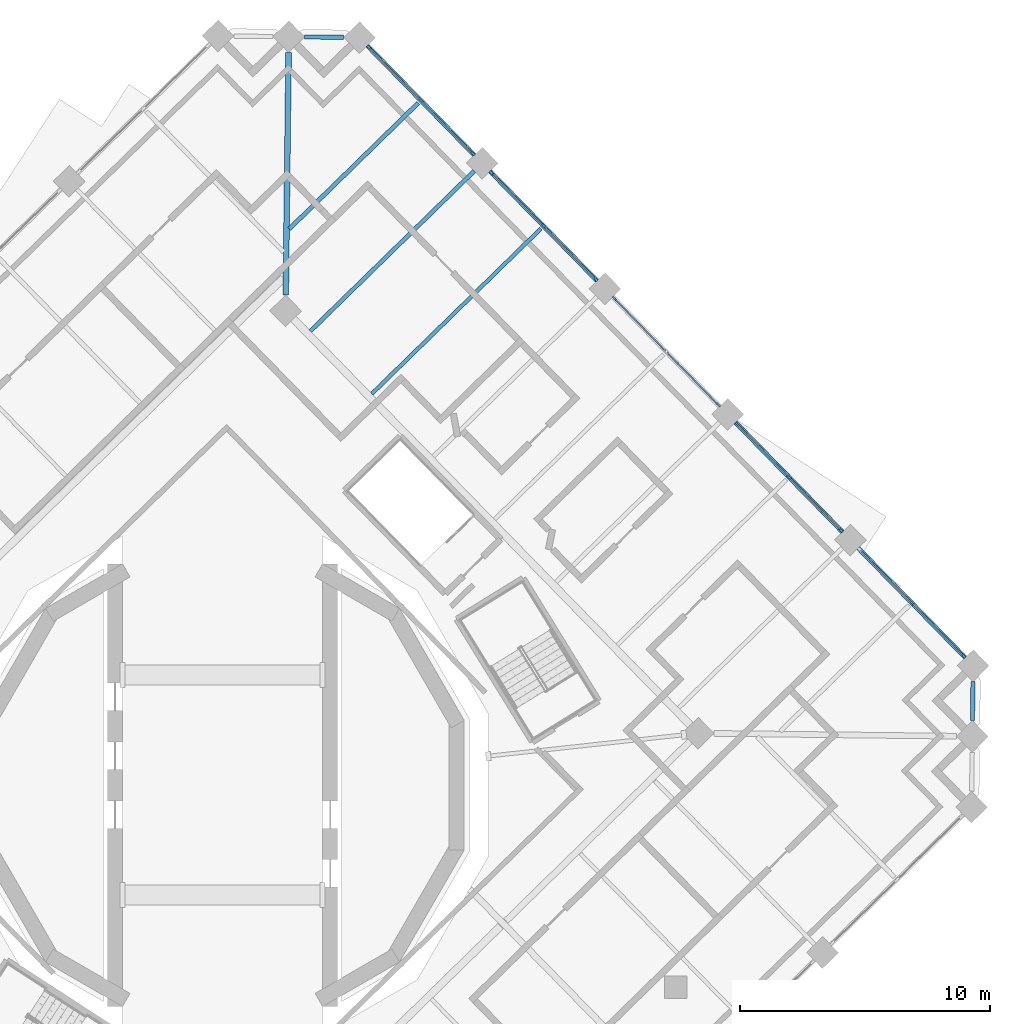
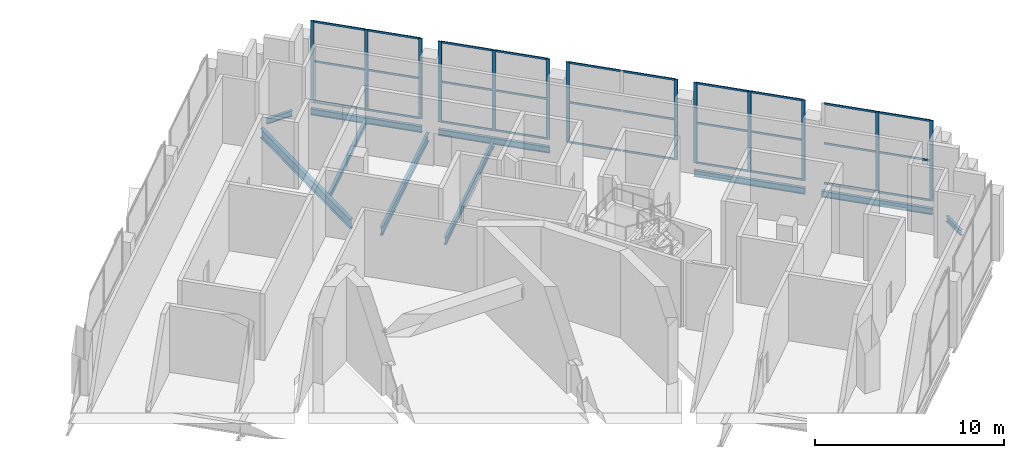
# One storey, part 8 of 20: 43 members, 10 beams, 5 elements without a shape of their own.
"""IFC4 building model written with IfcOpenShell, lengths in metres."""

from ifc_helpers import new_model, si_unit, direction, frame, origin, origin_2d, place, context, subcontext, project, spatial, rectangle, i_section, extrude, material, material_profile, profile_set, type_object, element, aggregate, save


model = new_model("IFC4")

# Units and contexts
model_context = context("Model", 3, precision=1e-05, world=origin(), true_north=direction((0.0, 1.0)))
body_context = subcontext(model_context, "Body", "Model", "MODEL_VIEW")
ifc_project = project(units=[si_unit("LENGTHUNIT", "METRE"), si_unit("AREAUNIT", "SQUARE_METRE"), si_unit("VOLUMEUNIT", "CUBIC_METRE"), si_unit("PLANEANGLEUNIT", "RADIAN"), si_unit("MASSUNIT", "GRAM", prefix="KILO")], contexts=[model_context])

# Site, building, storey
site_placement = place(None, origin())
site = spatial("IfcSite", under=ifc_project, at=site_placement, CompositionType="ELEMENT")
building_placement = place(site_placement, origin())
building = spatial("IfcBuilding", under=site, at=building_placement, Name="Cantera Rosa Tower", CompositionType="ELEMENT")
storey_placement = place(building_placement, frame((0.0, 0.0, 245.0)))
storey = spatial("IfcBuildingStorey", under=building, at=storey_placement, Name="L54", CompositionType="ELEMENT", Elevation=245.0)

# Curtain wall, members
ifc_material_1 = material(Name="Anodised aluminium louvre", Category="aluminium")
curtain_wall_type = type_object("IfcCurtainWallType", Name="CW3 REFUGE LOUVRE WALL", PredefinedType="NOTDEFINED", material=ifc_material_1)
curtain_wall_1_placement = place(storey_placement, origin())
curtain_wall_1 = element("IfcCurtainWall", 1, at=curtain_wall_1_placement, inside=storey, type_object=curtain_wall_type, Name="CW3 CW3", PredefinedType="NOTDEFINED")
ifc_material_2 = material(Name="Anodised bronze aluminium", Category="aluminium")
ifc_material_profile_1 = material_profile(ifc_material_2, rectangle(XDim=0.080078125, YDim=0.199951171875, at=origin_2d()), Name="CW-MULLION 80x200 REFUGE")
ifc_profile_set_1 = profile_set([ifc_material_profile_1], Name="Anodised bronze aluminium")
member_type_1 = type_object("IfcMemberType", Name="CW-MULLION 80x200 REFUGE", PredefinedType="MULLION", material=ifc_profile_set_1)
member_1_placement = place(storey_placement, frame((24.720458984375, 10.185302734375, 0.0), z_axis=(0.0, 0.0, 1.0), x_axis=(-0.715286291046, -0.698831540389, 0.0)))
member_1 = element("IfcMember", 2, at=member_1_placement, type_object=member_type_1, Name="CW3 mullion 1", PredefinedType="MULLION", context=body_context, shape_type="SweptSolid", body=[
    extrude(rectangle(XDim=0.080078125, YDim=0.199951171875, at=origin_2d()), origin(), (0.0, 0.0, 1.0), 5.199951171875),
])
member_2_placement = place(storey_placement, frame((22.644775390625, 12.309814453125, 0.0), z_axis=(0.0, 0.0, 1.0), x_axis=(-0.715286291046, -0.698831540389, 0.0)))
member_2 = element("IfcMember", 3, at=member_2_placement, type_object=member_type_1, Name="CW3 mullion 2", PredefinedType="MULLION", context=body_context, shape_type="SweptSolid", body=[
    extrude(rectangle(XDim=0.080078125, YDim=0.199951171875, at=origin_2d()), origin(), (0.0, 0.0, 1.0), 5.199951171875),
])
member_3_placement = place(storey_placement, frame((20.5693359375, 14.43408203125, 0.0), z_axis=(0.0, 0.0, 1.0), x_axis=(-0.715286291046, -0.698831540389, 0.0)))
member_3 = element("IfcMember", 4, at=member_3_placement, type_object=member_type_1, Name="CW3 mullion 3", PredefinedType="MULLION", context=body_context, shape_type="SweptSolid", body=[
    extrude(rectangle(XDim=0.080078125, YDim=0.199951171875, at=origin_2d()), origin(), (0.0, 0.0, 1.0), 5.199951171875),
])

curtain_wall_2_placement = place(storey_placement, origin())
curtain_wall_2 = element("IfcCurtainWall", 5, at=curtain_wall_2_placement, inside=storey, type_object=curtain_wall_type, Name="CW3 CW3", PredefinedType="NOTDEFINED")
member_4_placement = place(storey_placement, frame((19.814697265625, 15.20654296875, 0.0), z_axis=(0.0, 0.0, 1.0), x_axis=(-0.715286291046, -0.698831540389, 0.0)))
member_4 = element("IfcMember", 6, at=member_4_placement, type_object=member_type_1, Name="CW3 mullion 1", PredefinedType="MULLION", context=body_context, shape_type="SweptSolid", body=[
    extrude(rectangle(XDim=0.080078125, YDim=0.199951171875, at=origin_2d()), origin(), (0.0, 0.0, 1.0), 5.199951171875),
])
member_5_placement = place(storey_placement, frame((15.66357421875, 19.455322265625, 0.0), z_axis=(0.0, 0.0, 1.0), x_axis=(-0.715286291046, -0.698831540389, 0.0)))
member_5 = element("IfcMember", 7, at=member_5_placement, type_object=member_type_1, Name="CW3 mullion 3", PredefinedType="MULLION", context=body_context, shape_type="SweptSolid", body=[
    extrude(rectangle(XDim=0.080078125, YDim=0.199951171875, at=origin_2d()), origin(), (0.0, 0.0, 1.0), 5.199951171875),
])

curtain_wall_3_placement = place(storey_placement, origin())
curtain_wall_3 = element("IfcCurtainWall", 8, at=curtain_wall_3_placement, inside=storey, type_object=curtain_wall_type, Name="CW3 CW3", PredefinedType="NOTDEFINED")
member_6_placement = place(storey_placement, frame((14.908935546875, 20.22802734375, 0.0), z_axis=(0.0, 0.0, 1.0), x_axis=(-0.715286291046, -0.698831540389, 0.0)))
member_6 = element("IfcMember", 9, at=member_6_placement, type_object=member_type_1, Name="CW3 mullion 1", PredefinedType="MULLION", context=body_context, shape_type="SweptSolid", body=[
    extrude(rectangle(XDim=0.080078125, YDim=0.199951171875, at=origin_2d()), origin(), (0.0, 0.0, 1.0), 5.199951171875),
])
member_7_placement = place(storey_placement, frame((12.833251953125, 22.352294921875, 0.0), z_axis=(0.0, 0.0, 1.0), x_axis=(-0.715286291046, -0.698831540389, 0.0)))
member_7 = element("IfcMember", 10, at=member_7_placement, type_object=member_type_1, Name="CW3 mullion 2", PredefinedType="MULLION", context=body_context, shape_type="SweptSolid", body=[
    extrude(rectangle(XDim=0.080078125, YDim=0.199951171875, at=origin_2d()), origin(), (0.0, 0.0, 1.0), 5.199951171875),
])
member_8_placement = place(storey_placement, frame((10.7578125, 24.476806640625, 0.0), z_axis=(0.0, 0.0, 1.0), x_axis=(-0.715286291046, -0.698831540389, 0.0)))
member_8 = element("IfcMember", 11, at=member_8_placement, type_object=member_type_1, Name="CW3 mullion 3", PredefinedType="MULLION", context=body_context, shape_type="SweptSolid", body=[
    extrude(rectangle(XDim=0.080078125, YDim=0.199951171875, at=origin_2d()), origin(), (0.0, 0.0, 1.0), 5.199951171875),
])

curtain_wall_4_placement = place(storey_placement, origin())
curtain_wall_4 = element("IfcCurtainWall", 12, at=curtain_wall_4_placement, inside=storey, type_object=curtain_wall_type, Name="CW3 CW3", PredefinedType="NOTDEFINED")
member_9_placement = place(storey_placement, frame((10.0029296875, 25.249267578125, 0.0), z_axis=(0.0, 0.0, 1.0), x_axis=(-0.715286291046, -0.698831540389, 0.0)))
member_9 = element("IfcMember", 13, at=member_9_placement, type_object=member_type_1, Name="CW3 mullion 1", PredefinedType="MULLION", context=body_context, shape_type="SweptSolid", body=[
    extrude(rectangle(XDim=0.080078125, YDim=0.199951171875, at=origin_2d()), origin(), (0.0, 0.0, 1.0), 5.199951171875),
])
member_10_placement = place(storey_placement, frame((7.927490234375, 27.37353515625, 0.0), z_axis=(0.0, 0.0, 1.0), x_axis=(-0.715286291046, -0.698831540389, 0.0)))
member_10 = element("IfcMember", 14, at=member_10_placement, type_object=member_type_1, Name="CW3 mullion 2", PredefinedType="MULLION", context=body_context, shape_type="SweptSolid", body=[
    extrude(rectangle(XDim=0.080078125, YDim=0.199951171875, at=origin_2d()), origin(), (0.0, 0.0, 1.0), 5.199951171875),
])
member_11_placement = place(storey_placement, frame((5.85205078125, 29.498046875, 0.0), z_axis=(0.0, 0.0, 1.0), x_axis=(-0.715286291046, -0.698831540389, 0.0)))
member_11 = element("IfcMember", 15, at=member_11_placement, type_object=member_type_1, Name="CW3 mullion 3", PredefinedType="MULLION", context=body_context, shape_type="SweptSolid", body=[
    extrude(rectangle(XDim=0.080078125, YDim=0.199951171875, at=origin_2d()), origin(), (0.0, 0.0, 1.0), 5.199951171875),
])

curtain_wall_5_placement = place(storey_placement, origin())
curtain_wall_5 = element("IfcCurtainWall", 16, at=curtain_wall_5_placement, inside=storey, type_object=curtain_wall_type, Name="CW3 CW3", PredefinedType="NOTDEFINED")
member_12_placement = place(storey_placement, frame((29.626220703125, 5.1640625, 0.0), z_axis=(0.0, 0.0, 1.0), x_axis=(-0.715286291046, -0.698831540389, 0.0)))
member_12 = element("IfcMember", 17, at=member_12_placement, type_object=member_type_1, Name="CW3 mullion 1", PredefinedType="MULLION", context=body_context, shape_type="SweptSolid", body=[
    extrude(rectangle(XDim=0.080078125, YDim=0.199951171875, at=origin_2d()), origin(), (0.0, 0.0, 1.0), 5.199951171875),
])
member_13_placement = place(storey_placement, frame((27.55078125, 7.288330078125, 0.0), z_axis=(0.0, 0.0, 1.0), x_axis=(-0.715286291046, -0.698831540389, 0.0)))
member_13 = element("IfcMember", 18, at=member_13_placement, type_object=member_type_1, Name="CW3 mullion 2", PredefinedType="MULLION", context=body_context, shape_type="SweptSolid", body=[
    extrude(rectangle(XDim=0.080078125, YDim=0.199951171875, at=origin_2d()), origin(), (0.0, 0.0, 1.0), 5.199951171875),
])

# Member
ifc_material_3 = material(Name="Anodised bronze aluminium", Category="aluminium")
ifc_material_profile_2 = material_profile(ifc_material_3, rectangle(XDim=0.06005859375, YDim=0.1201171875, at=origin_2d()), Name="CW-TRANSOM 60x120 REFUGE")
ifc_profile_set_2 = profile_set([ifc_material_profile_2], Name="Anodised bronze aluminium")
member_type_2 = type_object("IfcMemberType", Name="CW-TRANSOM 60x120 REFUGE", PredefinedType="USERDEFINED", material=ifc_profile_set_2)
member_14_placement = place(storey_placement, frame((24.6923828125, 10.2138671875, 0.030029296875), z_axis=(-0.698821965382, 0.715295645659, 0.0), x_axis=(-0.715295645659, -0.698821965382, 0.0)))
member_14 = element("IfcMember", 19, at=member_14_placement, type_object=member_type_2, Name="CW3 transom 1.1", ObjectType="TRANSOM", PredefinedType="USERDEFINED", context=body_context, shape_type="SweptSolid", body=[
    extrude(rectangle(XDim=0.06005859375, YDim=0.1201171875, at=origin_2d()), origin(), (0.0, 0.0, 1.0), 2.889892578125),
])

member_15_placement = place(storey_placement, frame((24.6923828125, 10.2138671875, 2.60009765625), z_axis=(-0.698821965382, 0.715295645659, 0.0), x_axis=(-0.715295645659, -0.698821965382, 0.0)))
member_15 = element("IfcMember", 20, at=member_15_placement, type_object=member_type_2, Name="CW3 transom 1.2", ObjectType="TRANSOM", PredefinedType="USERDEFINED", context=body_context, shape_type="SweptSolid", body=[
    extrude(rectangle(XDim=0.06005859375, YDim=0.1201171875, at=origin_2d()), origin(), (0.0, 0.0, 1.0), 2.889892578125),
])

member_16_placement = place(storey_placement, frame((24.6923828125, 10.2138671875, 5.169921875), z_axis=(-0.698821965382, 0.715295645659, 0.0), x_axis=(-0.715295645659, -0.698821965382, 0.0)))
member_16 = element("IfcMember", 21, at=member_16_placement, type_object=member_type_2, Name="CW3 transom 1.3", ObjectType="TRANSOM", PredefinedType="USERDEFINED", context=body_context, shape_type="SweptSolid", body=[
    extrude(rectangle(XDim=0.06005859375, YDim=0.1201171875, at=origin_2d()), origin(), (0.0, 0.0, 1.0), 2.889892578125),
])

member_17_placement = place(storey_placement, frame((22.616943359375, 12.33837890625, 0.030029296875), z_axis=(-0.698821965382, 0.715295645659, 0.0), x_axis=(-0.715295645659, -0.698821965382, 0.0)))
member_17 = element("IfcMember", 22, at=member_17_placement, type_object=member_type_2, Name="CW3 transom 2.1", ObjectType="TRANSOM", PredefinedType="USERDEFINED", context=body_context, shape_type="SweptSolid", body=[
    extrude(rectangle(XDim=0.06005859375, YDim=0.1201171875, at=origin_2d()), origin(), (0.0, 0.0, 1.0), 2.889892578125),
])

member_18_placement = place(storey_placement, frame((22.616943359375, 12.33837890625, 2.60009765625), z_axis=(-0.698821965382, 0.715295645659, 0.0), x_axis=(-0.715295645659, -0.698821965382, 0.0)))
member_18 = element("IfcMember", 23, at=member_18_placement, type_object=member_type_2, Name="CW3 transom 2.2", ObjectType="TRANSOM", PredefinedType="USERDEFINED", context=body_context, shape_type="SweptSolid", body=[
    extrude(rectangle(XDim=0.06005859375, YDim=0.1201171875, at=origin_2d()), origin(), (0.0, 0.0, 1.0), 2.889892578125),
])

member_19_placement = place(storey_placement, frame((22.616943359375, 12.33837890625, 5.169921875), z_axis=(-0.698821965382, 0.715295645659, 0.0), x_axis=(-0.715295645659, -0.698821965382, 0.0)))
member_19 = element("IfcMember", 24, at=member_19_placement, type_object=member_type_2, Name="CW3 transom 2.3", ObjectType="TRANSOM", PredefinedType="USERDEFINED", context=body_context, shape_type="SweptSolid", body=[
    extrude(rectangle(XDim=0.06005859375, YDim=0.1201171875, at=origin_2d()), origin(), (0.0, 0.0, 1.0), 2.889892578125),
])

aggregate(curtain_wall_1, [member_1, member_2, member_3, member_14, member_15, member_16, member_17, member_18, member_19])

member_20_placement = place(storey_placement, frame((19.78662109375, 15.2353515625, 0.030029296875), z_axis=(-0.698821965382, 0.715295645659, 0.0), x_axis=(-0.715295645659, -0.698821965382, 0.0)))
member_20 = element("IfcMember", 25, at=member_20_placement, type_object=member_type_2, Name="CW3 transom 1.1", ObjectType="TRANSOM", PredefinedType="USERDEFINED", context=body_context, shape_type="SweptSolid", body=[
    extrude(rectangle(XDim=0.06005859375, YDim=0.1201171875, at=origin_2d()), origin(), (0.0, 0.0, 1.0), 2.889892578125),
])

member_21_placement = place(storey_placement, frame((19.78662109375, 15.2353515625, 2.60009765625), z_axis=(-0.698821965382, 0.715295645659, 0.0), x_axis=(-0.715295645659, -0.698821965382, 0.0)))
member_21 = element("IfcMember", 26, at=member_21_placement, type_object=member_type_2, Name="CW3 transom 1.2", ObjectType="TRANSOM", PredefinedType="USERDEFINED", context=body_context, shape_type="SweptSolid", body=[
    extrude(rectangle(XDim=0.06005859375, YDim=0.1201171875, at=origin_2d()), origin(), (0.0, 0.0, 1.0), 2.889892578125),
])

member_22_placement = place(storey_placement, frame((19.78662109375, 15.2353515625, 5.169921875), z_axis=(-0.698821965382, 0.715295645659, 0.0), x_axis=(-0.715295645659, -0.698821965382, 0.0)))
member_22 = element("IfcMember", 27, at=member_22_placement, type_object=member_type_2, Name="CW3 transom 1.3", ObjectType="TRANSOM", PredefinedType="USERDEFINED", context=body_context, shape_type="SweptSolid", body=[
    extrude(rectangle(XDim=0.06005859375, YDim=0.1201171875, at=origin_2d()), origin(), (0.0, 0.0, 1.0), 2.889892578125),
])

member_23_placement = place(storey_placement, frame((17.711181640625, 17.359619140625, 0.030029296875), z_axis=(-0.698865185777, 0.715253418104, 0.0), x_axis=(-0.715253418104, -0.698865185777, 0.0)))
member_23 = element("IfcMember", 28, at=member_23_placement, type_object=member_type_2, Name="CW3 transom 2.1", ObjectType="TRANSOM", PredefinedType="USERDEFINED", context=body_context, shape_type="SweptSolid", body=[
    extrude(rectangle(XDim=0.06005859375, YDim=0.1201171875, at=origin_2d()), origin(), (0.0, 0.0, 1.0), 2.89013671875),
])

member_24_placement = place(storey_placement, frame((17.711181640625, 17.359619140625, 2.60009765625), z_axis=(-0.698865185777, 0.715253418104, 0.0), x_axis=(-0.715253418104, -0.698865185777, 0.0)))
member_24 = element("IfcMember", 29, at=member_24_placement, type_object=member_type_2, Name="CW3 transom 2.2", ObjectType="TRANSOM", PredefinedType="USERDEFINED", context=body_context, shape_type="SweptSolid", body=[
    extrude(rectangle(XDim=0.06005859375, YDim=0.1201171875, at=origin_2d()), origin(), (0.0, 0.0, 1.0), 2.89013671875),
])

member_25_placement = place(storey_placement, frame((17.711181640625, 17.359619140625, 5.169921875), z_axis=(-0.698865185777, 0.715253418104, 0.0), x_axis=(-0.715253418104, -0.698865185777, 0.0)))
member_25 = element("IfcMember", 30, at=member_25_placement, type_object=member_type_2, Name="CW3 transom 2.3", ObjectType="TRANSOM", PredefinedType="USERDEFINED", context=body_context, shape_type="SweptSolid", body=[
    extrude(rectangle(XDim=0.06005859375, YDim=0.1201171875, at=origin_2d()), origin(), (0.0, 0.0, 1.0), 2.89013671875),
])

aggregate(curtain_wall_2, [member_4, member_5, member_20, member_21, member_22, member_23, member_24, member_25])

member_26_placement = place(storey_placement, frame((14.880859375, 20.256591796875, 0.030029296875), z_axis=(-0.698821965382, 0.715295645659, 0.0), x_axis=(-0.715295645659, -0.698821965382, 0.0)))
member_26 = element("IfcMember", 31, at=member_26_placement, type_object=member_type_2, Name="CW3 transom 1.1", ObjectType="TRANSOM", PredefinedType="USERDEFINED", context=body_context, shape_type="SweptSolid", body=[
    extrude(rectangle(XDim=0.06005859375, YDim=0.1201171875, at=origin_2d()), origin(), (0.0, 0.0, 1.0), 2.889892578125),
])

member_27_placement = place(storey_placement, frame((14.880859375, 20.256591796875, 2.60009765625), z_axis=(-0.698821965382, 0.715295645659, 0.0), x_axis=(-0.715295645659, -0.698821965382, 0.0)))
member_27 = element("IfcMember", 32, at=member_27_placement, type_object=member_type_2, Name="CW3 transom 1.2", ObjectType="TRANSOM", PredefinedType="USERDEFINED", context=body_context, shape_type="SweptSolid", body=[
    extrude(rectangle(XDim=0.06005859375, YDim=0.1201171875, at=origin_2d()), origin(), (0.0, 0.0, 1.0), 2.889892578125),
])

member_28_placement = place(storey_placement, frame((14.880859375, 20.256591796875, 5.169921875), z_axis=(-0.698821965382, 0.715295645659, 0.0), x_axis=(-0.715295645659, -0.698821965382, 0.0)))
member_28 = element("IfcMember", 33, at=member_28_placement, type_object=member_type_2, Name="CW3 transom 1.3", ObjectType="TRANSOM", PredefinedType="USERDEFINED", context=body_context, shape_type="SweptSolid", body=[
    extrude(rectangle(XDim=0.06005859375, YDim=0.1201171875, at=origin_2d()), origin(), (0.0, 0.0, 1.0), 2.889892578125),
])

member_29_placement = place(storey_placement, frame((12.805419921875, 22.380859375, 0.030029296875), z_axis=(-0.698822960742, 0.715294673222, 0.0), x_axis=(-0.715294673222, -0.698822960742, 0.0)))
member_29 = element("IfcMember", 34, at=member_29_placement, type_object=member_type_2, Name="CW3 transom 2.1", ObjectType="TRANSOM", PredefinedType="USERDEFINED", context=body_context, shape_type="SweptSolid", body=[
    extrude(rectangle(XDim=0.06005859375, YDim=0.1201171875, at=origin_2d()), origin(), (0.0, 0.0, 1.0), 2.89013671875),
])

member_30_placement = place(storey_placement, frame((12.805419921875, 22.380859375, 2.60009765625), z_axis=(-0.698822960742, 0.715294673222, 0.0), x_axis=(-0.715294673222, -0.698822960742, 0.0)))
member_30 = element("IfcMember", 35, at=member_30_placement, type_object=member_type_2, Name="CW3 transom 2.2", ObjectType="TRANSOM", PredefinedType="USERDEFINED", context=body_context, shape_type="SweptSolid", body=[
    extrude(rectangle(XDim=0.06005859375, YDim=0.1201171875, at=origin_2d()), origin(), (0.0, 0.0, 1.0), 2.89013671875),
])

member_31_placement = place(storey_placement, frame((12.805419921875, 22.380859375, 5.169921875), z_axis=(-0.698822960742, 0.715294673222, 0.0), x_axis=(-0.715294673222, -0.698822960742, 0.0)))
member_31 = element("IfcMember", 36, at=member_31_placement, type_object=member_type_2, Name="CW3 transom 2.3", ObjectType="TRANSOM", PredefinedType="USERDEFINED", context=body_context, shape_type="SweptSolid", body=[
    extrude(rectangle(XDim=0.06005859375, YDim=0.1201171875, at=origin_2d()), origin(), (0.0, 0.0, 1.0), 2.89013671875),
])

aggregate(curtain_wall_3, [member_6, member_7, member_8, member_26, member_27, member_28, member_29, member_30, member_31])

member_32_placement = place(storey_placement, frame((9.97509765625, 25.27783203125, 0.030029296875), z_axis=(-0.698821965382, 0.715295645659, 0.0), x_axis=(-0.715295645659, -0.698821965382, 0.0)))
member_32 = element("IfcMember", 37, at=member_32_placement, type_object=member_type_2, Name="CW3 transom 1.1", ObjectType="TRANSOM", PredefinedType="USERDEFINED", context=body_context, shape_type="SweptSolid", body=[
    extrude(rectangle(XDim=0.06005859375, YDim=0.1201171875, at=origin_2d()), origin(), (0.0, 0.0, 1.0), 2.889892578125),
])

member_33_placement = place(storey_placement, frame((9.97509765625, 25.27783203125, 2.60009765625), z_axis=(-0.698821965382, 0.715295645659, 0.0), x_axis=(-0.715295645659, -0.698821965382, 0.0)))
member_33 = element("IfcMember", 38, at=member_33_placement, type_object=member_type_2, Name="CW3 transom 1.2", ObjectType="TRANSOM", PredefinedType="USERDEFINED", context=body_context, shape_type="SweptSolid", body=[
    extrude(rectangle(XDim=0.06005859375, YDim=0.1201171875, at=origin_2d()), origin(), (0.0, 0.0, 1.0), 2.889892578125),
])

member_34_placement = place(storey_placement, frame((9.97509765625, 25.27783203125, 5.169921875), z_axis=(-0.698821965382, 0.715295645659, 0.0), x_axis=(-0.715295645659, -0.698821965382, 0.0)))
member_34 = element("IfcMember", 39, at=member_34_placement, type_object=member_type_2, Name="CW3 transom 1.3", ObjectType="TRANSOM", PredefinedType="USERDEFINED", context=body_context, shape_type="SweptSolid", body=[
    extrude(rectangle(XDim=0.06005859375, YDim=0.1201171875, at=origin_2d()), origin(), (0.0, 0.0, 1.0), 2.889892578125),
])

member_35_placement = place(storey_placement, frame((7.899658203125, 27.40234375, 0.030029296875), z_axis=(-0.698865185777, 0.715253418104, 0.0), x_axis=(-0.715253418104, -0.698865185777, 0.0)))
member_35 = element("IfcMember", 40, at=member_35_placement, type_object=member_type_2, Name="CW3 transom 2.1", ObjectType="TRANSOM", PredefinedType="USERDEFINED", context=body_context, shape_type="SweptSolid", body=[
    extrude(rectangle(XDim=0.06005859375, YDim=0.1201171875, at=origin_2d()), origin(), (0.0, 0.0, 1.0), 2.89013671875),
])

member_36_placement = place(storey_placement, frame((7.899658203125, 27.40234375, 2.60009765625), z_axis=(-0.698865185777, 0.715253418104, 0.0), x_axis=(-0.715253418104, -0.698865185777, 0.0)))
member_36 = element("IfcMember", 41, at=member_36_placement, type_object=member_type_2, Name="CW3 transom 2.2", ObjectType="TRANSOM", PredefinedType="USERDEFINED", context=body_context, shape_type="SweptSolid", body=[
    extrude(rectangle(XDim=0.06005859375, YDim=0.1201171875, at=origin_2d()), origin(), (0.0, 0.0, 1.0), 2.89013671875),
])

member_37_placement = place(storey_placement, frame((7.899658203125, 27.40234375, 5.169921875), z_axis=(-0.698865185777, 0.715253418104, 0.0), x_axis=(-0.715253418104, -0.698865185777, 0.0)))
member_37 = element("IfcMember", 42, at=member_37_placement, type_object=member_type_2, Name="CW3 transom 2.3", ObjectType="TRANSOM", PredefinedType="USERDEFINED", context=body_context, shape_type="SweptSolid", body=[
    extrude(rectangle(XDim=0.06005859375, YDim=0.1201171875, at=origin_2d()), origin(), (0.0, 0.0, 1.0), 2.89013671875),
])

aggregate(curtain_wall_4, [member_9, member_10, member_11, member_32, member_33, member_34, member_35, member_36, member_37])

member_38_placement = place(storey_placement, frame((29.598388671875, 5.192626953125, 0.030029296875), z_axis=(-0.698865185777, 0.715253418104, 0.0), x_axis=(-0.715253418104, -0.698865185777, 0.0)))
member_38 = element("IfcMember", 43, at=member_38_placement, type_object=member_type_2, Name="CW3 transom 1.1", ObjectType="TRANSOM", PredefinedType="USERDEFINED", context=body_context, shape_type="SweptSolid", body=[
    extrude(rectangle(XDim=0.06005859375, YDim=0.1201171875, at=origin_2d()), origin(), (0.0, 0.0, 1.0), 2.89013671875),
])

member_39_placement = place(storey_placement, frame((29.598388671875, 5.192626953125, 2.60009765625), z_axis=(-0.698865185777, 0.715253418104, 0.0), x_axis=(-0.715253418104, -0.698865185777, 0.0)))
member_39 = element("IfcMember", 44, at=member_39_placement, type_object=member_type_2, Name="CW3 transom 1.2", ObjectType="TRANSOM", PredefinedType="USERDEFINED", context=body_context, shape_type="SweptSolid", body=[
    extrude(rectangle(XDim=0.06005859375, YDim=0.1201171875, at=origin_2d()), origin(), (0.0, 0.0, 1.0), 2.89013671875),
])

member_40_placement = place(storey_placement, frame((29.598388671875, 5.192626953125, 5.169921875), z_axis=(-0.698865185777, 0.715253418104, 0.0), x_axis=(-0.715253418104, -0.698865185777, 0.0)))
member_40 = element("IfcMember", 45, at=member_40_placement, type_object=member_type_2, Name="CW3 transom 1.3", ObjectType="TRANSOM", PredefinedType="USERDEFINED", context=body_context, shape_type="SweptSolid", body=[
    extrude(rectangle(XDim=0.06005859375, YDim=0.1201171875, at=origin_2d()), origin(), (0.0, 0.0, 1.0), 2.89013671875),
])

member_41_placement = place(storey_placement, frame((27.522705078125, 7.31689453125, 0.030029296875), z_axis=(-0.698779737974, 0.71533689811, 0.0), x_axis=(-0.71533689811, -0.698779737974, 0.0)))
member_41 = element("IfcMember", 46, at=member_41_placement, type_object=member_type_2, Name="CW3 transom 2.1", ObjectType="TRANSOM", PredefinedType="USERDEFINED", context=body_context, shape_type="SweptSolid", body=[
    extrude(rectangle(XDim=0.06005859375, YDim=0.1201171875, at=origin_2d()), origin(), (0.0, 0.0, 1.0), 2.89013671875),
])

member_42_placement = place(storey_placement, frame((27.522705078125, 7.31689453125, 2.60009765625), z_axis=(-0.698779737974, 0.71533689811, 0.0), x_axis=(-0.71533689811, -0.698779737974, 0.0)))
member_42 = element("IfcMember", 47, at=member_42_placement, type_object=member_type_2, Name="CW3 transom 2.2", ObjectType="TRANSOM", PredefinedType="USERDEFINED", context=body_context, shape_type="SweptSolid", body=[
    extrude(rectangle(XDim=0.06005859375, YDim=0.1201171875, at=origin_2d()), origin(), (0.0, 0.0, 1.0), 2.89013671875),
])

member_43_placement = place(storey_placement, frame((27.522705078125, 7.31689453125, 5.169921875), z_axis=(-0.698779737974, 0.71533689811, 0.0), x_axis=(-0.71533689811, -0.698779737974, 0.0)))
member_43 = element("IfcMember", 48, at=member_43_placement, type_object=member_type_2, Name="CW3 transom 2.3", ObjectType="TRANSOM", PredefinedType="USERDEFINED", context=body_context, shape_type="SweptSolid", body=[
    extrude(rectangle(XDim=0.06005859375, YDim=0.1201171875, at=origin_2d()), origin(), (0.0, 0.0, 1.0), 2.89013671875),
])

aggregate(curtain_wall_5, [member_12, member_13, member_38, member_39, member_40, member_41, member_42, member_43])

# Beams
ifc_material_4 = material(Name="Steel ASTM A992 (Fy 345 MPa)", Category="steel")
ifc_material_profile_3 = material_profile(ifc_material_4, i_section(OverallWidth=0.166015625, OverallDepth=0.528076171875, WebThickness=0.009765625, FlangeThickness=0.013671875, FilletRadius=0.0126953125, at=origin_2d()), Name="W530X74")
ifc_profile_set_3 = profile_set([ifc_material_profile_3], Name="Steel ASTM A992 (Fy 345 MPa)")
beam_type_1 = type_object("IfcBeamType", Name="STEEL BEAM W530X74", PredefinedType="BEAM", material=ifc_profile_set_3)
beam_1_placement = place(storey_placement, frame((10.05859375, 24.548583984375, -0.714111328125), z_axis=(-0.71529025682, -0.698827481213, 0.0), x_axis=(0.698827481213, -0.71529025682, 0.0)))
element("IfcBeam", 49, at=beam_1_placement, inside=storey, type_object=beam_type_1, Name="G-Z4-04 L54", PredefinedType="BEAM", context=body_context, shape_type="SweptSolid", body=[
    extrude(i_section(OverallWidth=0.166015625, OverallDepth=0.528076171875, WebThickness=0.009765625, FlangeThickness=0.013671875, FilletRadius=0.0126953125, at=origin_2d()), origin(), (0.0, 0.0, 1.0), 9.14990234375),
])
ifc_material_5 = material(Name="Steel ASTM A992 (Fy 345 MPa)", Category="steel")
ifc_material_profile_4 = material_profile(ifc_material_5, i_section(OverallWidth=0.22802734375, OverallDepth=0.60205078125, WebThickness=0.010498046875, FlangeThickness=0.014892578125, FilletRadius=0.0126953125, at=origin_2d()), Name="W610X101")
ifc_profile_set_4 = profile_set([ifc_material_profile_4], Name="Steel ASTM A992 (Fy 345 MPa)")
beam_type_2 = type_object("IfcBeamType", Name="STEEL BEAM W610X101", PredefinedType="BEAM", material=ifc_profile_set_4)
beam_2_placement = place(storey_placement, frame((2.638916015625, 29.28076171875, -0.7509765625), z_axis=(-0.011618330597, -0.999932504919, 0.0), x_axis=(0.999932504919, -0.011618330597, 0.0)))
element("IfcBeam", 50, at=beam_2_placement, inside=storey, type_object=beam_type_2, Name="CB-Z4-01 L54", PredefinedType="BEAM", context=body_context, shape_type="SweptSolid", body=[
    extrude(i_section(OverallWidth=0.22802734375, OverallDepth=0.60205078125, WebThickness=0.010498046875, FlangeThickness=0.014892578125, FilletRadius=0.0126953125, at=origin_2d()), origin(), (0.0, 0.0, 1.0), 9.687255859375),
])
ifc_material_6 = material(Name="Steel ASTM A992 (Fy 345 MPa)", Category="steel")
ifc_material_profile_5 = material_profile(ifc_material_6, i_section(OverallWidth=0.1708984375, OverallDepth=0.35595703125, WebThickness=0.00732421875, FlangeThickness=0.01171875, FilletRadius=0.010009765625, at=origin_2d()), Name="W360X51")
ifc_profile_set_5 = profile_set([ifc_material_profile_5], Name="Steel ASTM A992 (Fy 345 MPa)")
beam_type_3 = type_object("IfcBeamType", Name="STEEL JOIST W360X51", PredefinedType="JOIST", material=ifc_profile_set_5)
beam_3_placement = place(storey_placement, frame((7.8203125, 27.268798828125, -0.6279296875), z_axis=(-0.715287213552, -0.69883059616, 0.0), x_axis=(0.69883059616, -0.715287213552, 0.0)))
element("IfcBeam", 51, at=beam_3_placement, inside=storey, type_object=beam_type_3, Name="B-Z4-05 L54", PredefinedType="JOIST", context=body_context, shape_type="SweptSolid", body=[
    extrude(i_section(OverallWidth=0.1708984375, OverallDepth=0.35595703125, WebThickness=0.00732421875, FlangeThickness=0.01171875, FilletRadius=0.010009765625, at=origin_2d()), origin(), (0.0, 0.0, 1.0), 7.2099609375),
])
ifc_material_7 = material(Name="Steel ASTM A992 (Fy 345 MPa)", Category="steel")
ifc_material_profile_6 = material_profile(ifc_material_7, i_section(OverallWidth=0.154052734375, OverallDepth=0.4599609375, WebThickness=0.009033203125, FlangeThickness=0.015380859375, FilletRadius=0.01025390625, at=origin_2d()), Name="W460X68")
ifc_profile_set_6 = profile_set([ifc_material_profile_6], Name="Steel ASTM A992 (Fy 345 MPa)")
beam_type_4 = type_object("IfcBeamType", Name="STEEL JOIST W460X68", PredefinedType="JOIST", material=ifc_profile_set_6)
beam_4_placement = place(storey_placement, frame((12.72607421875, 22.24755859375, -0.679931640625), z_axis=(-0.715287278354, -0.698830529832, 0.0), x_axis=(0.698830529832, -0.715287278354, 0.0)))
element("IfcBeam", 52, at=beam_4_placement, inside=storey, type_object=beam_type_4, Name="B-Z4-04 L54", PredefinedType="JOIST", context=body_context, shape_type="SweptSolid", body=[
    extrude(i_section(OverallWidth=0.154052734375, OverallDepth=0.4599609375, WebThickness=0.009033203125, FlangeThickness=0.015380859375, FilletRadius=0.01025390625, at=origin_2d()), origin(), (0.0, 0.0, 1.0), 9.4501953125),
])
ifc_material_8 = material(Name="Steel ASTM A992 (Fy 345 MPa)", Category="steel")
ifc_material_profile_7 = material_profile(ifc_material_8, i_section(OverallWidth=0.1708984375, OverallDepth=0.35595703125, WebThickness=0.00732421875, FlangeThickness=0.01171875, FilletRadius=0.010009765625, at=origin_2d()), Name="W360X51")
ifc_profile_set_7 = profile_set([ifc_material_profile_7], Name="Steel ASTM A992 (Fy 345 MPa)")
beam_type_5 = type_object("IfcBeamType", Name="STEEL SPANDREL BEAM W360X51", PredefinedType="SPANDREL", material=ifc_profile_set_7)
for number, where, z_axis, x_axis, name in (
    (53, (4.838134765625, 29.8916015625, -0.6279296875), (-0.999930716123, 0.011771276677, 0.0), (-0.011771276677, -0.999930716123, 0.0), "EB-Z4-06 L54"),
    (54, (29.97802734375, 2.5859375, -0.6279296875), (0.011614347636, 0.99993255119, 0.0), (-0.99993255119, 0.011614347636, 0.0), "EB-Z4-28 L54"),
):
    element("IfcBeam", number, at=place(storey_placement, frame(where, z_axis=z_axis, x_axis=x_axis)), inside=storey, type_object=beam_type_5, Name=name, PredefinedType="SPANDREL", context=body_context, shape_type="SweptSolid", body=[
        extrude(i_section(OverallWidth=0.1708984375, OverallDepth=0.35595703125, WebThickness=0.00732421875, FlangeThickness=0.01171875, FilletRadius=0.010009765625, at=origin_2d()), origin(), (0.0, 0.0, 1.0), 1.555419921875),
    ])
ifc_material_9 = material(Name="Steel ASTM A992 (Fy 345 MPa)", Category="steel")
ifc_material_profile_8 = material_profile(ifc_material_9, i_section(OverallWidth=0.177978515625, OverallDepth=0.406005859375, WebThickness=0.0078125, FlangeThickness=0.0126953125, FilletRadius=0.01025390625, at=origin_2d()), Name="W410X60")
ifc_profile_set_8 = profile_set([ifc_material_profile_8], Name="Steel ASTM A992 (Fy 345 MPa)")
beam_type_6 = type_object("IfcBeamType", Name="STEEL SPANDREL BEAM W410X60", PredefinedType="SPANDREL", material=ifc_profile_set_8)
beam_5_placement = place(storey_placement, frame((29.689208984375, 5.099609375, -0.653076171875), z_axis=(-0.69882117953, 0.715296413412, 0.0), x_axis=(-0.715296413412, -0.69882117953, 0.0)))
element("IfcBeam", 55, at=beam_5_placement, inside=storey, type_object=beam_type_6, Name="EB-Z4-01 L54", PredefinedType="SPANDREL", context=body_context, shape_type="SweptSolid", body=[
    extrude(i_section(OverallWidth=0.177978515625, OverallDepth=0.406005859375, WebThickness=0.0078125, FlangeThickness=0.0126953125, FilletRadius=0.01025390625, at=origin_2d()), origin(), (0.0, 0.0, 1.0), 6.1201171875),
])
for number, where, z_axis, x_axis, name in (
    (56, (24.783203125, 10.120849609375, -0.653076171875), (-0.698800768177, 0.715316354067, 0.0), (-0.715316354067, -0.698800768177, 0.0), "EB-Z4-02 L54"),
    (57, (14.9716796875, 20.16357421875, -0.653076171875), (-0.698841120217, 0.71527693147, 0.0), (-0.71527693147, -0.698841120217, 0.0), "EB-Z4-04 L54"),
):
    element("IfcBeam", number, at=place(storey_placement, frame(where, z_axis=z_axis, x_axis=x_axis)), inside=storey, type_object=beam_type_6, Name=name, PredefinedType="SPANDREL", context=body_context, shape_type="SweptSolid", body=[
        extrude(i_section(OverallWidth=0.177978515625, OverallDepth=0.406005859375, WebThickness=0.0078125, FlangeThickness=0.0126953125, FilletRadius=0.01025390625, at=origin_2d()), origin(), (0.0, 0.0, 1.0), 6.119873046875),
    ])
beam_6_placement = place(storey_placement, frame((10.06591796875, 25.184814453125, -0.653076171875), z_axis=(-0.69882117953, 0.715296413412, 0.0), x_axis=(-0.715296413412, -0.69882117953, 0.0)))
element("IfcBeam", 58, at=beam_6_placement, inside=storey, type_object=beam_type_6, Name="EB-Z4-05 L54", PredefinedType="SPANDREL", context=body_context, shape_type="SweptSolid", body=[
    extrude(i_section(OverallWidth=0.177978515625, OverallDepth=0.406005859375, WebThickness=0.0078125, FlangeThickness=0.0126953125, FilletRadius=0.01025390625, at=origin_2d()), origin(), (0.0, 0.0, 1.0), 6.1201171875),
])

save(model, "model.ifc")
